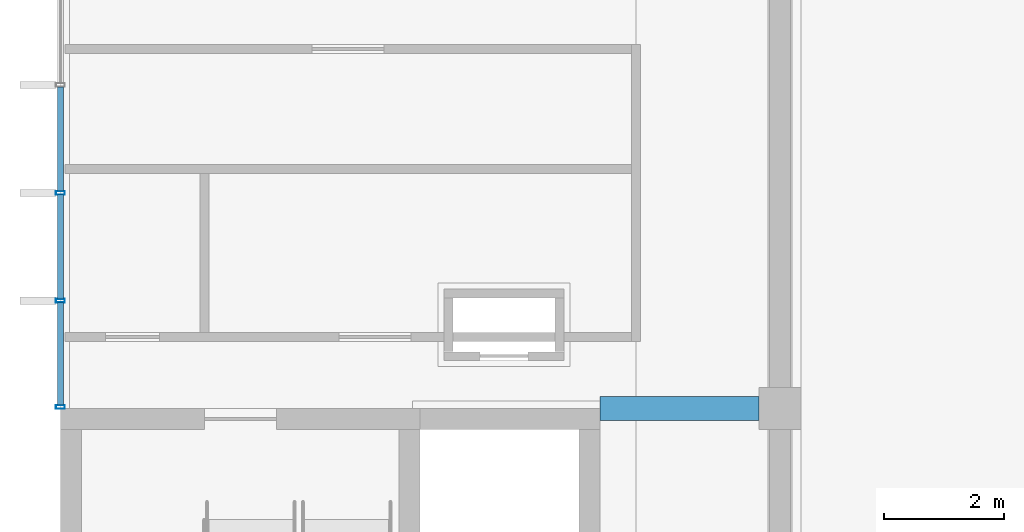
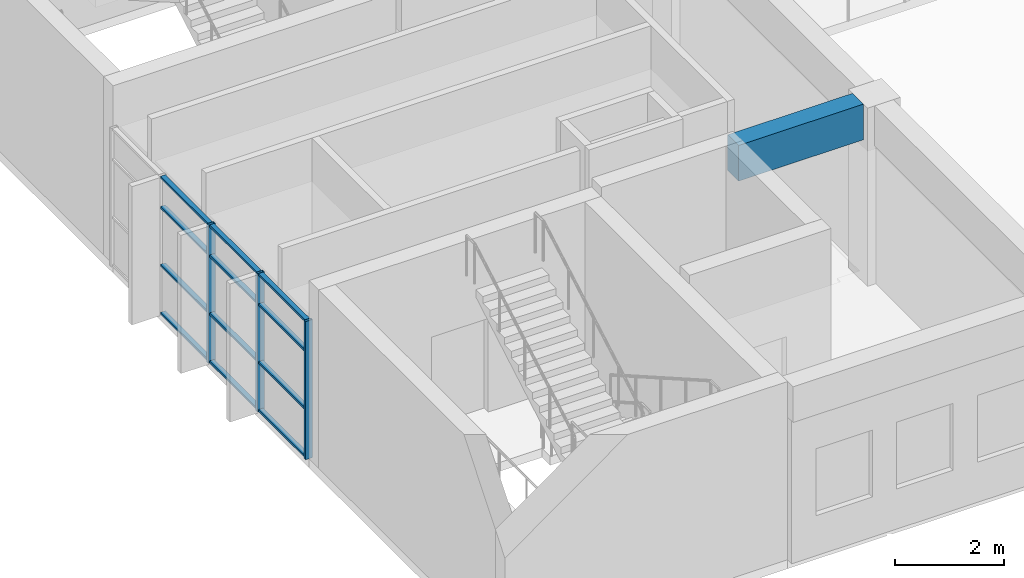
# One storey, part 21 of 92: 15 members, 1 beam, 1 element without a shape of its own.
"""IFC4 building model written with IfcOpenShell, lengths in metres."""

from ifc_helpers import new_model, si_unit, direction, frame, origin, origin_2d, place, context, subcontext, project, spatial, rectangle, hollow_rectangle, extrude, material, material_profile, profile_set, type_object, element, aggregate, save


model = new_model("IFC4")

# Units and contexts
model_context = context("Model", 3, precision=1e-05, world=origin(), true_north=direction((0.0, 1.0)))
body_context = subcontext(model_context, "Body", "Model", "MODEL_VIEW")
ifc_project = project(units=[si_unit("LENGTHUNIT", "METRE"), si_unit("AREAUNIT", "SQUARE_METRE"), si_unit("VOLUMEUNIT", "CUBIC_METRE"), si_unit("PLANEANGLEUNIT", "RADIAN"), si_unit("MASSUNIT", "GRAM", prefix="KILO")], contexts=[model_context])

# Site, building, storey
site_placement = place(None, origin())
site = spatial("IfcSite", under=ifc_project, at=site_placement, CompositionType="ELEMENT")
building_placement = place(site_placement, origin())
building = spatial("IfcBuilding", under=site, at=building_placement, Name="Laocheng Heights Fire and Rescue Headquarters", CompositionType="ELEMENT")
storey_placement = place(building_placement, frame((0.0, 0.0, 12.60009765625)))
storey = spatial("IfcBuildingStorey", under=building, at=storey_placement, Name="L03", CompositionType="ELEMENT", Elevation=12.60009765625)

# Curtain wall, members
ifc_material_1 = material(Name="Dark anodised aluminium unitised curtain wall, low-e double glazing", Category="aluminium")
curtain_wall_type = type_object("IfcCurtainWallType", Name="CW 7200 x 3100 FOYER GLAZING", PredefinedType="NOTDEFINED", material=ifc_material_1)
curtain_wall_placement = place(storey_placement, origin())
curtain_wall = element("IfcCurtainWall", 1, at=curtain_wall_placement, inside=storey, type_object=curtain_wall_type, Name="X3-V FOYER WEST L03", PredefinedType="NOTDEFINED")
ifc_material_2 = material(Name="Dark anodised aluminium 6063-T5 extrusion", Category="aluminium")
ifc_material_profile_1 = material_profile(ifc_material_2, hollow_rectangle(XDim=0.14990234375, YDim=0.06005859375, WallThickness=0.0029296875, at=origin_2d()), Name="AL MULLION 150x60x3 FOYER GLAZING")
ifc_profile_set_1 = profile_set([ifc_material_profile_1], Name="Dark anodised aluminium 6063-T5 extrusion")
member_type_1 = type_object("IfcMemberType", Name="AL MULLION 150x60x3 FOYER GLAZING", PredefinedType="MULLION", material=ifc_profile_set_1)
member_1_placement = place(storey_placement, frame((0.0, 43.22998046875, 0.0), z_axis=(0.0, 0.0, 1.0), x_axis=(-1.0, 0.0, 0.0)))
member_1 = element("IfcMember", 2, at=member_1_placement, type_object=member_type_1, Name="X3-V mullion 1", PredefinedType="MULLION", context=body_context, shape_type="SweptSolid", body=[
    extrude(hollow_rectangle(XDim=0.14990234375, YDim=0.06005859375, WallThickness=0.0029296875, at=origin_2d()), origin(), (0.0, 0.0, 1.0), 3.099853515625),
])
member_2_placement = place(storey_placement, frame((0.0, 45.0, 0.0), z_axis=(0.0, 0.0, 1.0), x_axis=(-1.0, 0.0, 0.0)))
member_2 = element("IfcMember", 3, at=member_2_placement, type_object=member_type_1, Name="X3-V mullion 2", PredefinedType="MULLION", context=body_context, shape_type="SweptSolid", body=[
    extrude(hollow_rectangle(XDim=0.14990234375, YDim=0.06005859375, WallThickness=0.0029296875, at=origin_2d()), origin(), (0.0, 0.0, 1.0), 3.099853515625),
])
member_3_placement = place(storey_placement, frame((0.0, 46.800048828125, 0.0), z_axis=(0.0, 0.0, 1.0), x_axis=(-1.0, 0.0, 0.0)))
member_3 = element("IfcMember", 4, at=member_3_placement, type_object=member_type_1, Name="X3-V mullion 3", PredefinedType="MULLION", context=body_context, shape_type="SweptSolid", body=[
    extrude(hollow_rectangle(XDim=0.14990234375, YDim=0.06005859375, WallThickness=0.0029296875, at=origin_2d()), origin(), (0.0, 0.0, 1.0), 3.099853515625),
])
ifc_material_3 = material(Name="Dark anodised aluminium 6063-T5 extrusion", Category="aluminium")
ifc_material_profile_2 = material_profile(ifc_material_3, hollow_rectangle(XDim=0.10009765625, YDim=0.050048828125, WallThickness=0.0029296875, at=origin_2d()), Name="AL TRANSOM 100x50x3 FOYER GLAZING")
ifc_profile_set_2 = profile_set([ifc_material_profile_2], Name="Dark anodised aluminium 6063-T5 extrusion")
member_type_2 = type_object("IfcMemberType", Name="AL TRANSOM 100x50x3 FOYER GLAZING", PredefinedType="USERDEFINED", material=ifc_profile_set_2)
member_4_placement = place(storey_placement, frame((0.0, 43.260009765625, 0.02490234375), z_axis=(0.0, 1.0, 0.0), x_axis=(-1.0, 0.0, 0.0)))
member_4 = element("IfcMember", 5, at=member_4_placement, type_object=member_type_2, Name="X3-V transom 1.1", ObjectType="TRANSOM", PredefinedType="USERDEFINED", context=body_context, shape_type="SweptSolid", body=[
    extrude(hollow_rectangle(XDim=0.10009765625, YDim=0.050048828125, WallThickness=0.0029296875, at=origin_2d()), origin(), (0.0, 0.0, 1.0), 1.7099609375),
])
member_5_placement = place(storey_placement, frame((0.0, 43.260009765625, 1.099853515625), z_axis=(0.0, 1.0, 0.0), x_axis=(-1.0, 0.0, 0.0)))
member_5 = element("IfcMember", 6, at=member_5_placement, type_object=member_type_2, Name="X3-V transom 1.2", ObjectType="TRANSOM", PredefinedType="USERDEFINED", context=body_context, shape_type="SweptSolid", body=[
    extrude(hollow_rectangle(XDim=0.10009765625, YDim=0.050048828125, WallThickness=0.0029296875, at=origin_2d()), origin(), (0.0, 0.0, 1.0), 1.7099609375),
])
member_6_placement = place(storey_placement, frame((0.0, 43.260009765625, 2.39990234375), z_axis=(0.0, 1.0, 0.0), x_axis=(-1.0, 0.0, 0.0)))
member_6 = element("IfcMember", 7, at=member_6_placement, type_object=member_type_2, Name="X3-V transom 1.3", ObjectType="TRANSOM", PredefinedType="USERDEFINED", context=body_context, shape_type="SweptSolid", body=[
    extrude(hollow_rectangle(XDim=0.10009765625, YDim=0.050048828125, WallThickness=0.0029296875, at=origin_2d()), origin(), (0.0, 0.0, 1.0), 1.7099609375),
])
member_7_placement = place(storey_placement, frame((0.0, 43.260009765625, 3.074951171875), z_axis=(0.0, 1.0, 0.0), x_axis=(-1.0, 0.0, 0.0)))
member_7 = element("IfcMember", 8, at=member_7_placement, type_object=member_type_2, Name="X3-V transom 1.4", ObjectType="TRANSOM", PredefinedType="USERDEFINED", context=body_context, shape_type="SweptSolid", body=[
    extrude(hollow_rectangle(XDim=0.10009765625, YDim=0.050048828125, WallThickness=0.0029296875, at=origin_2d()), origin(), (0.0, 0.0, 1.0), 1.7099609375),
])
member_8_placement = place(storey_placement, frame((0.0, 45.030029296875, 0.02490234375), z_axis=(0.0, 1.0, 0.0), x_axis=(-1.0, 0.0, 0.0)))
member_8 = element("IfcMember", 9, at=member_8_placement, type_object=member_type_2, Name="X3-V transom 2.1", ObjectType="TRANSOM", PredefinedType="USERDEFINED", context=body_context, shape_type="SweptSolid", body=[
    extrude(hollow_rectangle(XDim=0.10009765625, YDim=0.050048828125, WallThickness=0.0029296875, at=origin_2d()), origin(), (0.0, 0.0, 1.0), 1.739990234375),
])
member_9_placement = place(storey_placement, frame((0.0, 45.030029296875, 1.099853515625), z_axis=(0.0, 1.0, 0.0), x_axis=(-1.0, 0.0, 0.0)))
member_9 = element("IfcMember", 10, at=member_9_placement, type_object=member_type_2, Name="X3-V transom 2.2", ObjectType="TRANSOM", PredefinedType="USERDEFINED", context=body_context, shape_type="SweptSolid", body=[
    extrude(hollow_rectangle(XDim=0.10009765625, YDim=0.050048828125, WallThickness=0.0029296875, at=origin_2d()), origin(), (0.0, 0.0, 1.0), 1.739990234375),
])
member_10_placement = place(storey_placement, frame((0.0, 45.030029296875, 2.39990234375), z_axis=(0.0, 1.0, 0.0), x_axis=(-1.0, 0.0, 0.0)))
member_10 = element("IfcMember", 11, at=member_10_placement, type_object=member_type_2, Name="X3-V transom 2.3", ObjectType="TRANSOM", PredefinedType="USERDEFINED", context=body_context, shape_type="SweptSolid", body=[
    extrude(hollow_rectangle(XDim=0.10009765625, YDim=0.050048828125, WallThickness=0.0029296875, at=origin_2d()), origin(), (0.0, 0.0, 1.0), 1.739990234375),
])
member_11_placement = place(storey_placement, frame((0.0, 45.030029296875, 3.074951171875), z_axis=(0.0, 1.0, 0.0), x_axis=(-1.0, 0.0, 0.0)))
member_11 = element("IfcMember", 12, at=member_11_placement, type_object=member_type_2, Name="X3-V transom 2.4", ObjectType="TRANSOM", PredefinedType="USERDEFINED", context=body_context, shape_type="SweptSolid", body=[
    extrude(hollow_rectangle(XDim=0.10009765625, YDim=0.050048828125, WallThickness=0.0029296875, at=origin_2d()), origin(), (0.0, 0.0, 1.0), 1.739990234375),
])
member_12_placement = place(storey_placement, frame((0.0, 46.830078125, 0.02490234375), z_axis=(0.0, 1.0, 0.0), x_axis=(-1.0, 0.0, 0.0)))
member_12 = element("IfcMember", 13, at=member_12_placement, type_object=member_type_2, Name="X3-V transom 3.1", ObjectType="TRANSOM", PredefinedType="USERDEFINED", context=body_context, shape_type="SweptSolid", body=[
    extrude(hollow_rectangle(XDim=0.10009765625, YDim=0.050048828125, WallThickness=0.0029296875, at=origin_2d()), origin(), (0.0, 0.0, 1.0), 1.739990234375),
])
member_13_placement = place(storey_placement, frame((0.0, 46.830078125, 1.099853515625), z_axis=(0.0, 1.0, 0.0), x_axis=(-1.0, 0.0, 0.0)))
member_13 = element("IfcMember", 14, at=member_13_placement, type_object=member_type_2, Name="X3-V transom 3.2", ObjectType="TRANSOM", PredefinedType="USERDEFINED", context=body_context, shape_type="SweptSolid", body=[
    extrude(hollow_rectangle(XDim=0.10009765625, YDim=0.050048828125, WallThickness=0.0029296875, at=origin_2d()), origin(), (0.0, 0.0, 1.0), 1.739990234375),
])
member_14_placement = place(storey_placement, frame((0.0, 46.830078125, 2.39990234375), z_axis=(0.0, 1.0, 0.0), x_axis=(-1.0, 0.0, 0.0)))
member_14 = element("IfcMember", 15, at=member_14_placement, type_object=member_type_2, Name="X3-V transom 3.3", ObjectType="TRANSOM", PredefinedType="USERDEFINED", context=body_context, shape_type="SweptSolid", body=[
    extrude(hollow_rectangle(XDim=0.10009765625, YDim=0.050048828125, WallThickness=0.0029296875, at=origin_2d()), origin(), (0.0, 0.0, 1.0), 1.739990234375),
])
member_15_placement = place(storey_placement, frame((0.0, 46.830078125, 3.074951171875), z_axis=(0.0, 1.0, 0.0), x_axis=(-1.0, 0.0, 0.0)))
member_15 = element("IfcMember", 16, at=member_15_placement, type_object=member_type_2, Name="X3-V transom 3.4", ObjectType="TRANSOM", PredefinedType="USERDEFINED", context=body_context, shape_type="SweptSolid", body=[
    extrude(hollow_rectangle(XDim=0.10009765625, YDim=0.050048828125, WallThickness=0.0029296875, at=origin_2d()), origin(), (0.0, 0.0, 1.0), 1.739990234375),
])
aggregate(curtain_wall, [member_1, member_2, member_3, member_4, member_5, member_6, member_7, member_8, member_9, member_10, member_11, member_12, member_13, member_14, member_15])

# Beam
ifc_material_4 = material(Name="Concrete C40", Category="concrete")
ifc_material_profile_3 = material_profile(ifc_material_4, rectangle(XDim=0.39990234375, YDim=0.800048828125, at=origin_2d()), Name="RC BEAM 400x800 FOYER")
ifc_profile_set_3 = profile_set([ifc_material_profile_3], Name="Concrete C40")
beam_type = type_object("IfcBeamType", Name="RC BEAM 400x800 FOYER", PredefinedType="BEAM", material=ifc_profile_set_3)
beam_placement = place(storey_placement, frame((9.0, 43.199951171875, 3.599853515625), z_axis=(1.0, 0.0, 0.0), x_axis=(0.0, 1.0, 0.0)))
element("IfcBeam", 17, at=beam_placement, inside=storey, type_object=beam_type, Name="Foyer beam L03", PredefinedType="BEAM", context=body_context, shape_type="SweptSolid", body=[
    extrude(rectangle(XDim=0.39990234375, YDim=0.800048828125, at=origin_2d()), origin(), (0.0, 0.0, 1.0), 2.64990234375),
])

save(model, "model.ifc")
